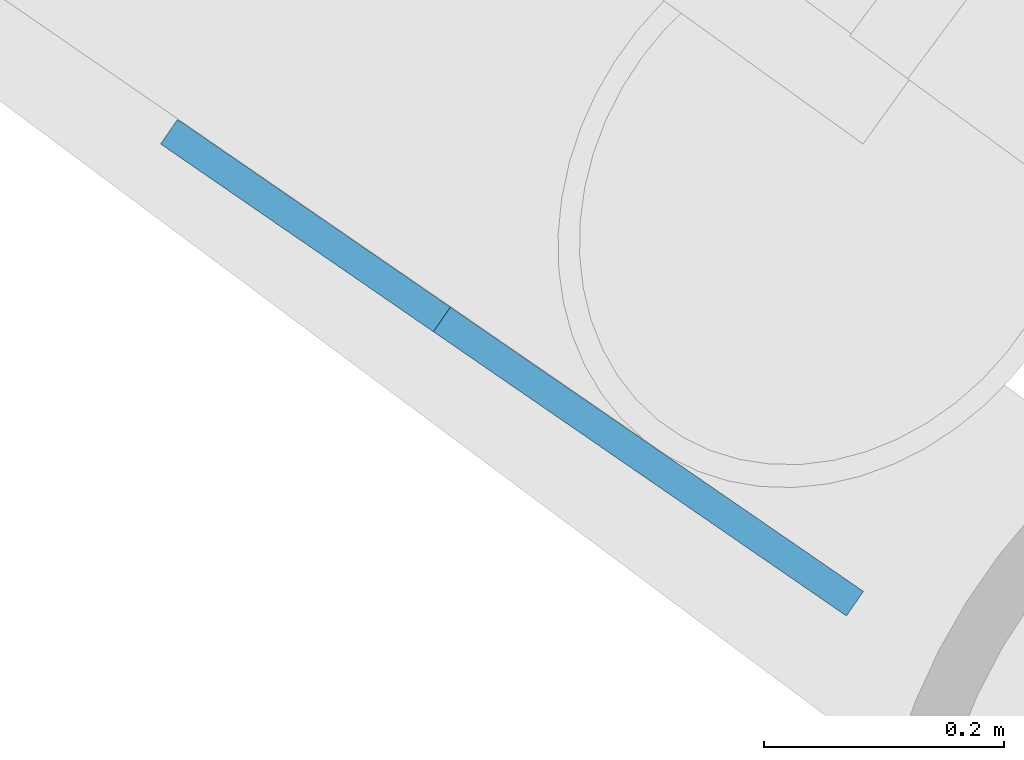
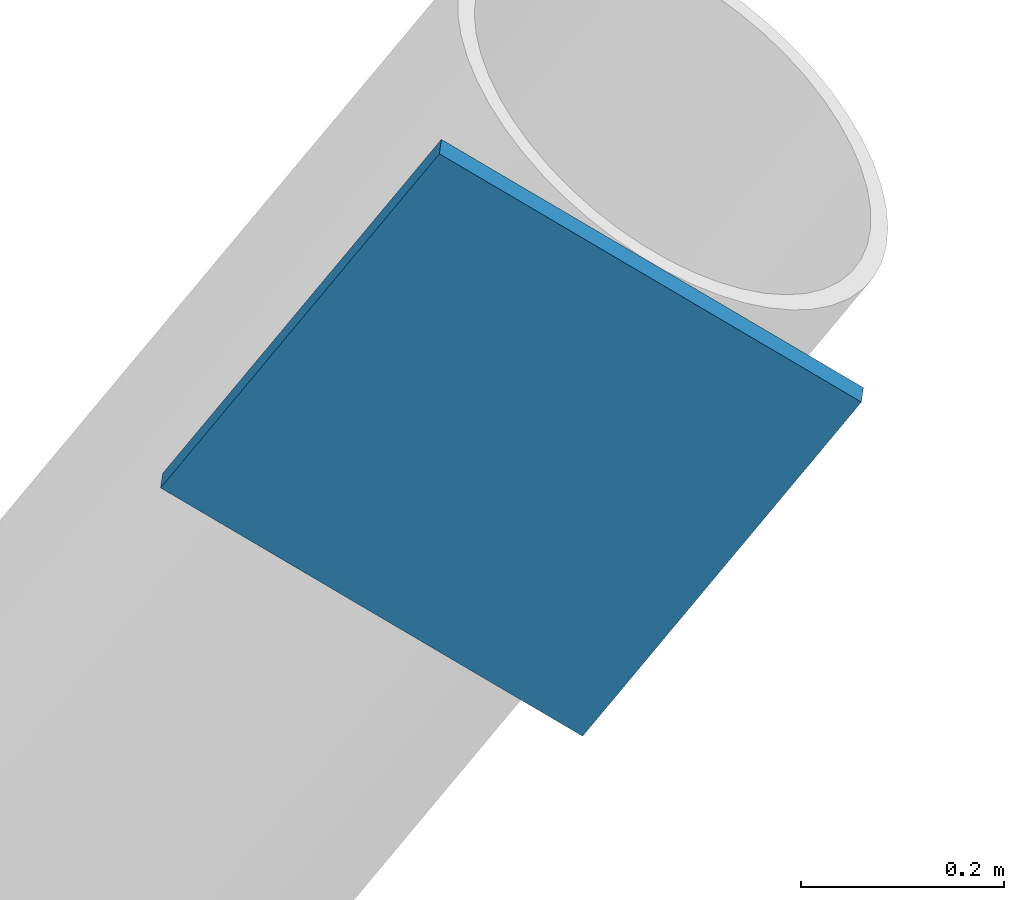
# One storey, part 15 of 23: 1 discrete accessory.
"""IFC4 building model written with IfcOpenShell, lengths in metres."""

from ifc_helpers import new_model, si_unit, direction, frame, origin, origin_2d, place, context, subcontext, project, spatial, rectangle, extrude, material, material_profile, profile_set, type_object, element, save


model = new_model("IFC4")

# Units and contexts
model_context = context("Model", 3, precision=1e-05, world=origin(), true_north=direction((0.0, 1.0)))
body_context = subcontext(model_context, "Body", "Model", "MODEL_VIEW")
ifc_project = project(units=[si_unit("LENGTHUNIT", "METRE"), si_unit("AREAUNIT", "SQUARE_METRE"), si_unit("VOLUMEUNIT", "CUBIC_METRE"), si_unit("PLANEANGLEUNIT", "RADIAN"), si_unit("MASSUNIT", "GRAM", prefix="KILO")], contexts=[model_context])

# Site, building, storey
site_placement = place(None, origin())
site = spatial("IfcSite", under=ifc_project, at=site_placement, CompositionType="ELEMENT")
building_placement = place(site_placement, origin())
building = spatial("IfcBuilding", under=site, at=building_placement, Name="Tarsis Ring Headquarters", CompositionType="ELEMENT")
storey_placement = place(building_placement, frame((0.0, 0.0, 239.39990234375)))
storey = spatial("IfcBuildingStorey", under=building, at=storey_placement, Name="L56", CompositionType="ELEMENT", Elevation=239.39990234375)

# Discrete accessory
ifc_material = material(Name="Structural steel S355", Category="steel")
ifc_material_profile = material_profile(ifc_material, rectangle(XDim=0.02490234375, YDim=0.5, at=origin_2d()), Name="PL 25x500")
ifc_profile_set = profile_set([ifc_material_profile], Name="Structural steel S355")
discrete_accessory_type = type_object("IfcDiscreteAccessoryType", Name="Gusset plate Exo brace 25", PredefinedType="BRACKET", material=ifc_profile_set)
discrete_accessory_placement = place(storey_placement, frame((21.05224609375, 19.635986328125, 7.800048828125), z_axis=(-0.454054095193, 0.312467334327, -0.834385428694), x_axis=(-0.566904695429, -0.823783385545, 0.0)))
element("IfcDiscreteAccessory", 1, at=discrete_accessory_placement, inside=storey, type_object=discrete_accessory_type, Name="Gusset plate GP5", PredefinedType="BRACKET", context=body_context, shape_type="SweptSolid", body=[
    extrude(rectangle(XDim=0.02490234375, YDim=0.5, at=origin_2d()), origin(), (0.0, 0.0, 1.0), 0.5),
])

save(model, "model.ifc")
